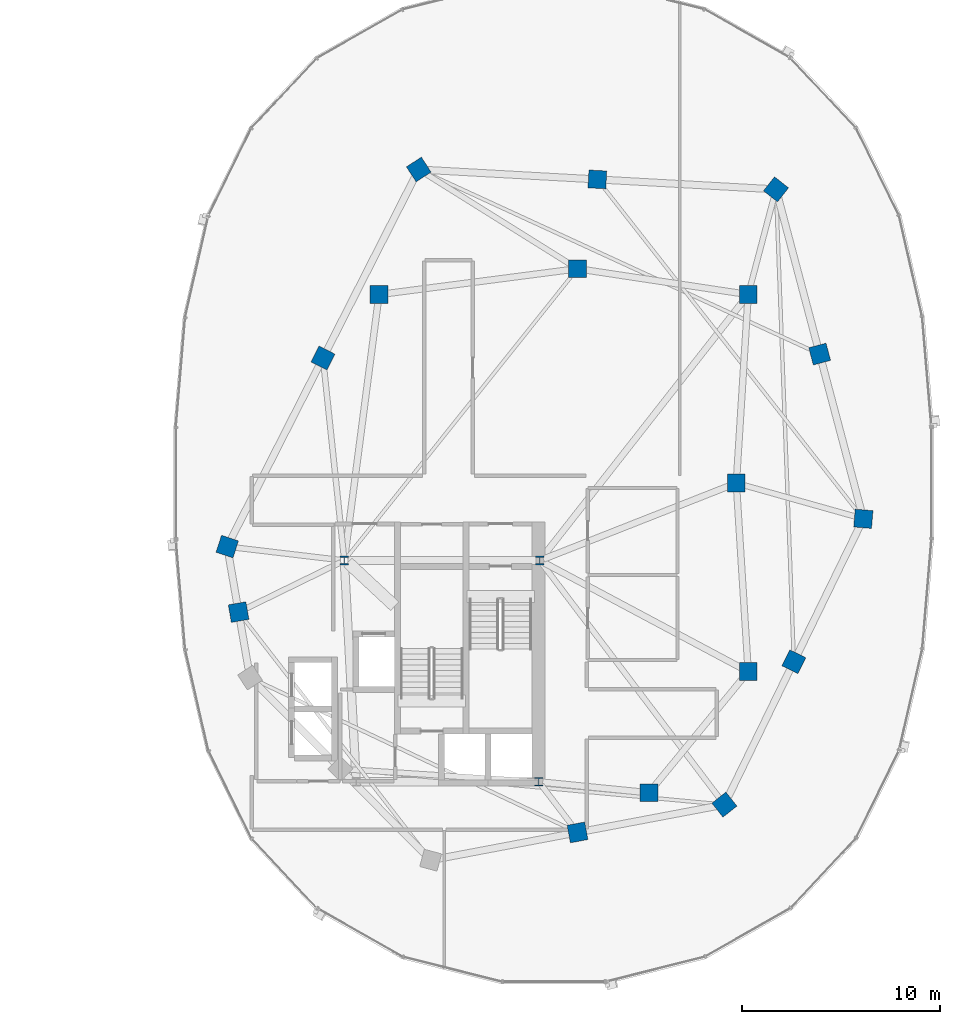
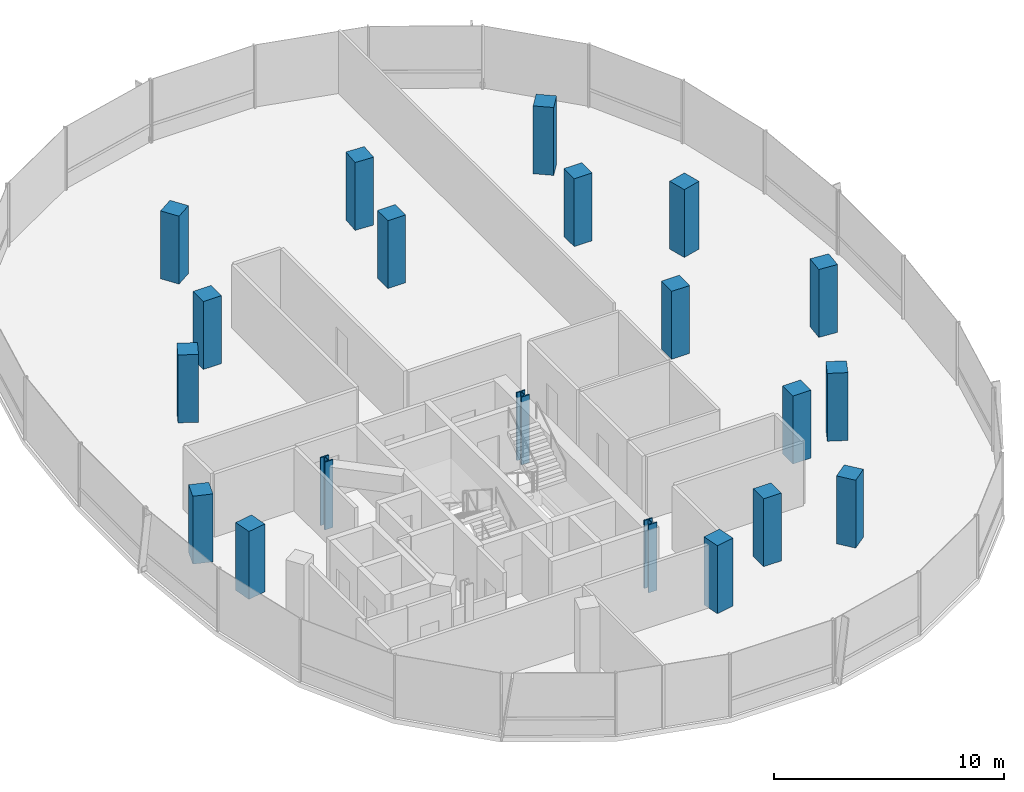
# One storey, part 2 of 24: 20 columns.
"""IFC4 building model written with IfcOpenShell, lengths in metres."""

from ifc_helpers import new_model, si_unit, direction, frame, origin, origin_2d, place, context, subcontext, project, spatial, rectangle, i_section, extrude, material, material_profile, profile_set, type_object, element, save


model = new_model("IFC4")

# Units and contexts
model_context = context("Model", 3, precision=1e-05, world=origin(), true_north=direction((0.0, 1.0)))
body_context = subcontext(model_context, "Body", "Model", "MODEL_VIEW")
ifc_project = project(units=[si_unit("LENGTHUNIT", "METRE"), si_unit("AREAUNIT", "SQUARE_METRE"), si_unit("VOLUMEUNIT", "CUBIC_METRE"), si_unit("PLANEANGLEUNIT", "RADIAN"), si_unit("MASSUNIT", "GRAM", prefix="KILO"), si_unit("THERMODYNAMICTEMPERATUREUNIT", "KELVIN"), si_unit("POWERUNIT", "WATT")], contexts=[model_context])

# Site, building, storey
site_placement = place(None, origin())
site = spatial("IfcSite", under=ifc_project, at=site_placement, CompositionType="ELEMENT")
building_placement = place(site_placement, origin())
building = spatial("IfcBuilding", under=site, at=building_placement, Name="Cundina Bronze Exchange", CompositionType="ELEMENT")
storey_placement = place(building_placement, frame((0.0, 0.0, 227.800048828125)))
storey = spatial("IfcBuildingStorey", under=building, at=storey_placement, Name="L60", CompositionType="ELEMENT", Elevation=227.800048828125)

# Columns
ifc_material_1 = material(Name="Steel ASTM A992 Grade 50", Category="steel")
ifc_material_profile_1 = material_profile(ifc_material_1, i_section(OverallWidth=0.416015625, OverallDepth=0.446044921875, WebThickness=0.0390625, FlangeThickness=0.062744140625, FilletRadius=0.01806640625, at=origin_2d()), Name="W14X342", Category="steel")
ifc_profile_set_1 = profile_set([ifc_material_profile_1], Name="Steel ASTM A992 Grade 50")
column_type_1 = type_object("IfcColumnType", Name="COL-STL-W14B", PredefinedType="COLUMN", material=ifc_profile_set_1)
for number, where, z_axis, x_axis, name in (
    (1, (31.300048828125, -3.89990234375, 0.0), (0.0, 0.0, 1.0), (1.0, 0.0, 0.0), "L60 Core Anchor Column E1"),
    (2, (21.449951171875, -3.89990234375, 0.0), (0.0, 0.0, 1.0), (1.0, 0.0, 0.0), "L60 Core Anchor Column E2"),
    (3, (31.25, -15.050048828125, 0.0), (0.0, 0.0, 1.0), (1.0, 0.0, 0.0), "L60 Core Anchor Column E4"),
):
    element("IfcColumn", number, at=place(storey_placement, frame(where, z_axis=z_axis, x_axis=x_axis)), inside=storey, type_object=column_type_1, Name=name, PredefinedType="COLUMN", context=body_context, shape_type="SweptSolid", body=[
        extrude(i_section(OverallWidth=0.416015625, OverallDepth=0.446044921875, WebThickness=0.0390625, FlangeThickness=0.062744140625, FilletRadius=0.01806640625, at=origin_2d()), origin(), (0.0, 0.0, 1.0), 3.599853515625),
    ])
ifc_material_2 = material(Name="Concrete C50/60", Category="concrete")
ifc_material_profile_2 = material_profile(ifc_material_2, rectangle(XDim=0.89990234375, YDim=0.89990234375, at=origin_2d()), Name="RC900X900", Category="concrete")
ifc_profile_set_2 = profile_set([ifc_material_profile_2], Name="Concrete C50/60")
column_type_2 = type_object("IfcColumnType", Name="COL-Z4-900", PredefinedType="COLUMN", material=ifc_profile_set_2)
for number, where, z_axis, x_axis, name in (
    (4, (41.199951171875, 0.0, 0.0), (0.0, 0.0, 1.0), (1.0, 0.0, 0.0), "L60 E Inner Ring Column 1"),
    (5, (41.800048828125, -9.5, 0.0), (0.0, 0.0, 1.0), (1.0, 0.0, 0.0), "L60 E Inner Ring Column 2"),
    (6, (36.800048828125, -15.60009765625, 0.0), (0.0, 0.0, 1.0), (1.0, 0.0, 0.0), "L60 E Inner Ring Column 3"),
    (7, (41.800048828125, 9.5, 0.0), (0.0, 0.0, 1.0), (1.0, 0.0, 0.0), "L60 E Inner Ring Column 4"),
    (8, (33.199951171875, 10.800048828125, 0.0), (0.0, 0.0, 1.0), (1.0, 0.0, 0.0), "L60 E Inner Ring Column 5"),
    (9, (23.199951171875, 9.5, 0.0), (0.0, 0.0, 1.0), (1.0, 0.0, 0.0), "L60 E Inner Ring Column 6"),
    (10, (15.550048828125, -3.199951171875, 0.0), (0.0, 0.0, 1.0), (-0.315152163383, -0.949041155016, 0.0), "L60 E Perimeter Column 00"),
    (11, (16.125, -6.5, 0.0), (0.0, 0.0, 1.0), (0.171585221787, -0.985169280715, 0.0), "L60 E Perimeter Column 01"),
    (12, (33.199951171875, -17.60009765625, 0.0), (0.0, 0.0, 1.0), (0.98258037664, 0.185838110843, 0.0), "L60 E Perimeter Column 05"),
    (13, (40.60009765625, -16.199951171875, 0.0), (0.0, 0.0, 1.0), (0.785100778485, 0.619368038909, 0.0), "L60 E Perimeter Column 06"),
    (14, (44.10009765625, -9.0, 0.0), (0.0, 0.0, 1.0), (0.437115766651, 0.899405251566, 0.0), "L60 E Perimeter Column 07"),
    (15, (47.60009765625, -1.800048828125, 0.0), (0.0, 0.0, 1.0), (0.083503921245, 0.996507448611, 0.0), "L60 E Perimeter Column 08"),
    (16, (45.39990234375, 6.5, 0.0), (0.0, 0.0, 1.0), (-0.256289373133, 0.966600102017, 0.0), "L60 E Perimeter Column 09"),
    (17, (43.199951171875, 14.800048828125, 0.0), (0.0, 0.0, 1.0), (-0.786288432137, 0.61785961309, 0.0), "L60 E Perimeter Column 10"),
    (18, (34.199951171875, 15.300048828125, 0.0), (0.0, 0.0, 1.0), (-0.998460188734, 0.055472980025, 0.0), "L60 E Perimeter Column 11"),
    (19, (25.199951171875, 15.800048828125, 0.0), (0.0, 0.0, 1.0), (-0.838099763533, -0.545516989988, 0.0), "L60 E Perimeter Column 12"),
    (20, (20.375, 6.300048828125, 0.0), (0.0, 0.0, 1.0), (-0.452901591366, -0.891560513111, 0.0), "L60 E Perimeter Column 13"),
):
    element("IfcColumn", number, at=place(storey_placement, frame(where, z_axis=z_axis, x_axis=x_axis)), inside=storey, type_object=column_type_2, Name=name, PredefinedType="COLUMN", context=body_context, shape_type="SweptSolid", body=[
        extrude(rectangle(XDim=0.89990234375, YDim=0.89990234375, at=origin_2d()), origin(), (0.0, 0.0, 1.0), 3.599853515625),
    ])

save(model, "model.ifc")
